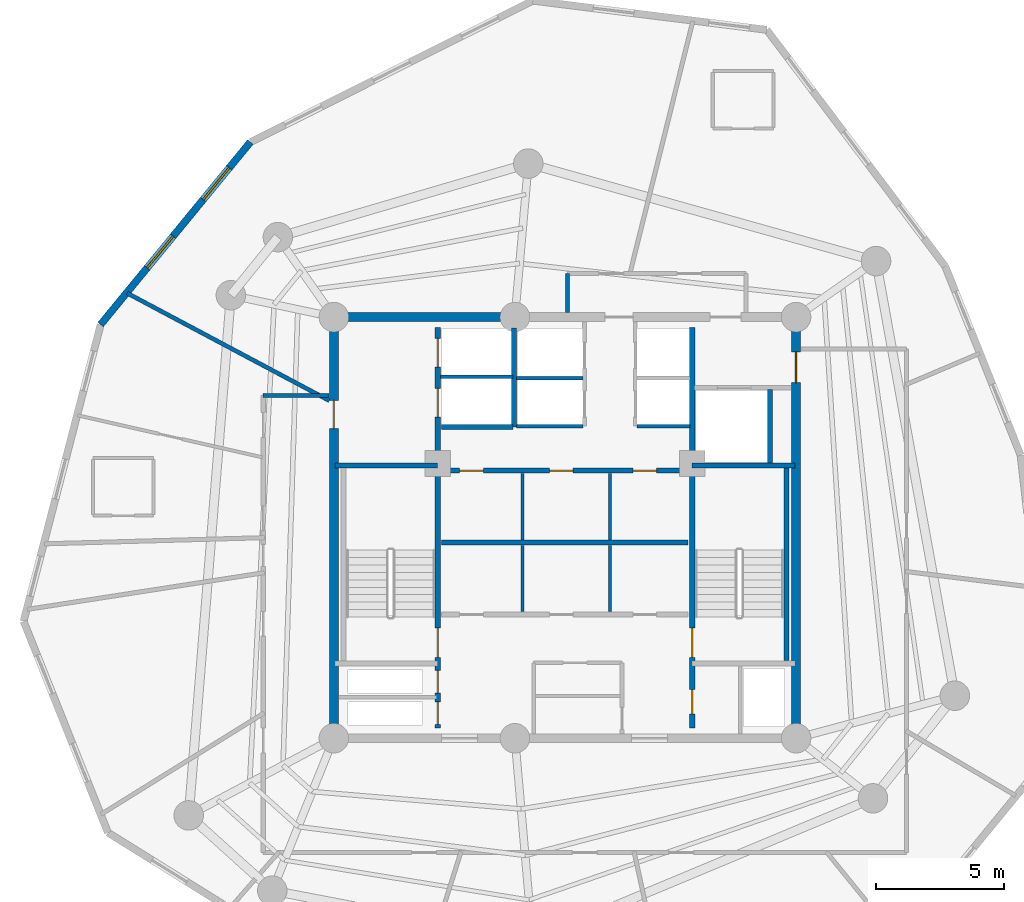
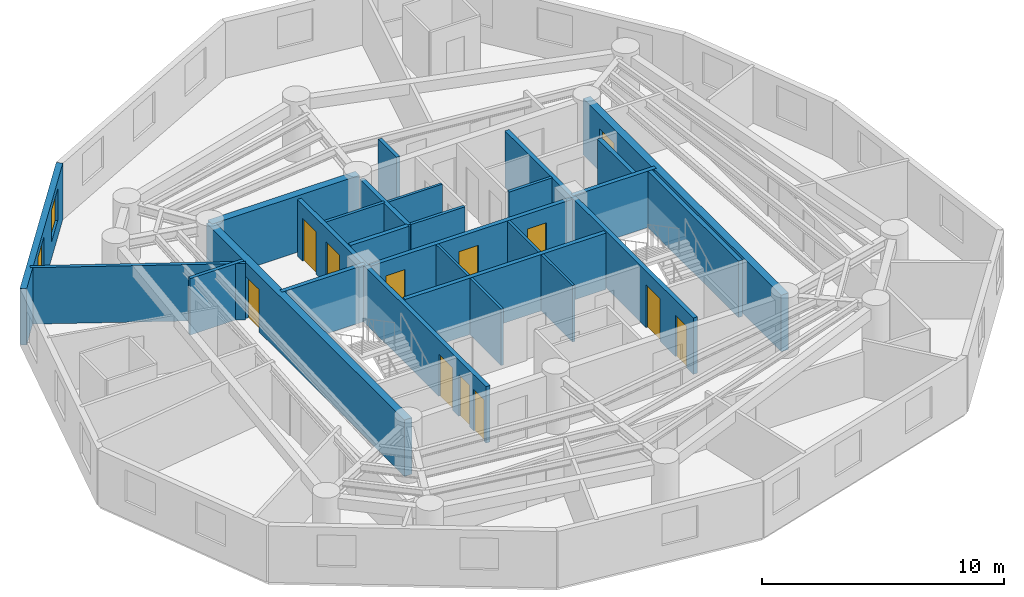
# One storey, part 4 of 7: 25 walls, 12 doors, 2 windows, 14 openings.
"""IFC4 building model written with IfcOpenShell, lengths in metres."""

import ifcopenshell
import ifcopenshell.guid

model = None  # the IFC model being written
_history = None  # IfcOwnerHistory: only IFC2X3 demands one
_inside = {}  # id of a spatial element -> (the spatial element, [elements in it])
_under = {}  # id of a project, library or spatial element -> (it, [spatial elements below it])
_declared = {}  # id of a project -> (the project, [libraries it declares])
_typed = {}  # id of a type object -> (the type object, [elements of that type])
_made_of = {}  # id of a material, layer set ... -> (it, [elements and type objects made of it])


def new_model(schema):
    """Start an empty IFC model of exactly this schema.

    Asked for "IFC4X3", IfcOpenShell would pick the latest addendum, in which some entities
    have other attributes; the version numbers below select the first issue.
    IFC2X3 requires an IfcOwnerHistory on every rooted entity: one is made here for all.
    """
    global model, _history
    if schema == "IFC4X3":
        model = ifcopenshell.file(schema_version=(4, 3, 0, 0))
    else:
        model = ifcopenshell.file(schema=schema)
    _inside.clear()
    _under.clear()
    _declared.clear()
    _typed.clear()
    _made_of.clear()
    _history = None
    if model.schema == "IFC2X3":
        org = make("IfcOrganization", Name="unknown")
        user = make(
            "IfcPersonAndOrganization",
            ThePerson=make("IfcPerson", FamilyName="unknown"),
            TheOrganization=org,
        )
        app = make(
            "IfcApplication",
            ApplicationDeveloper=org,
            Version="unknown",
            ApplicationFullName="unknown",
            ApplicationIdentifier="unknown",
        )
        _history = make(
            "IfcOwnerHistory",
            OwningUser=user,
            OwningApplication=app,
            ChangeAction="ADDED",
            CreationDate=0,
        )
    return model


def make(cls, **values):
    """One entity of the class cls with the attributes given. An attribute that is None is left unset."""
    return model.create_entity(
        cls, **{name: value for name, value in values.items() if value is not None}
    )


def rooted(cls, **values):
    """An entity with a GlobalId (a new one), such as an element, a storey or a relation."""
    return make(cls, GlobalId=ifcopenshell.guid.new(), OwnerHistory=_history, **values)


def si_unit(unit_type, name, prefix=None):
    """IfcSIUnit, for example si_unit("LENGTHUNIT", "METRE", prefix="MILLI")."""
    return make("IfcSIUnit", UnitType=unit_type, Prefix=prefix, Name=name)


def assignment(units):
    """IfcUnitAssignment: the units of a project."""
    return None if units is None else make("IfcUnitAssignment", Units=units)


def point(xyz):
    """IfcCartesianPoint."""
    return None if xyz is None else make("IfcCartesianPoint", Coordinates=xyz)


def direction(xyz):
    """IfcDirection."""
    return None if xyz is None else make("IfcDirection", DirectionRatios=xyz)


def frame(location, z_axis=None, x_axis=None):
    """IfcAxis2Placement3D, a coordinate frame: its origin and axes. An axis left out is left unset."""
    return make(
        "IfcAxis2Placement3D",
        Location=point(location),
        Axis=direction(z_axis),
        RefDirection=direction(x_axis),
    )


def frame_2d(location, x_axis=None):
    """IfcAxis2Placement2D, a coordinate frame in the plane: its origin and x axis."""
    return make(
        "IfcAxis2Placement2D", Location=point(location), RefDirection=direction(x_axis)
    )


def origin():
    """The frame at (0, 0, 0) with its axes left unset."""
    return frame((0.0, 0.0, 0.0))


def origin_with_axes():
    """The frame at (0, 0, 0) with the z axis (0, 0, 1) and the x axis (1, 0, 0) written out."""
    return frame((0.0, 0.0, 0.0), z_axis=(0.0, 0.0, 1.0), x_axis=(1.0, 0.0, 0.0))


def place(relative_to, where):
    """IfcLocalPlacement: puts the frame where relative to a parent placement (None: the world)."""
    return make(
        "IfcLocalPlacement", PlacementRelTo=relative_to, RelativePlacement=where
    )


def context(
    kind, dimensions, precision=None, world=None, true_north=None, identifier=None
):
    """IfcGeometricRepresentationContext, for example the 3D "Model" context."""
    return make(
        "IfcGeometricRepresentationContext",
        ContextIdentifier=identifier,
        ContextType=kind,
        CoordinateSpaceDimension=dimensions,
        Precision=precision,
        WorldCoordinateSystem=world,
        TrueNorth=true_north,
    )


def subcontext(parent, identifier, kind, view, scale=None):
    """IfcGeometricRepresentationSubContext, for example "Body" below "Model"."""
    return make(
        "IfcGeometricRepresentationSubContext",
        ContextIdentifier=identifier,
        ContextType=kind,
        ParentContext=parent,
        TargetScale=scale,
        TargetView=view,
    )


def project(units=None, contexts=None):
    """IfcProject with its units and contexts."""
    return rooted(
        "IfcProject",
        Name="project",
        RepresentationContexts=contexts,
        UnitsInContext=assignment(units),
    )


def spatial(cls, under=None, at=None, **own):
    """A site, building, storey or space (cls), placed at a placement, below another one or the project."""
    s = rooted(cls, ObjectPlacement=at, **own)
    if under is not None:
        _under.setdefault(under.id(), (under, []))[1].append(s)
    return s


def profile(cls, at=None, kind="AREA", **sizes):
    """A parametric profile (cls). Its sizes go by their IFC names, for example OverallWidth=200.0."""
    return make(cls, ProfileType=kind, Position=at, **sizes)


def rectangle(**sizes):
    """IfcRectangleProfileDef."""
    return profile("IfcRectangleProfileDef", **sizes)


def extrude(swept, where, along, depth):
    """IfcExtrudedAreaSolid: the profile swept, set in the frame where, extruded along a direction by depth."""
    return make(
        "IfcExtrudedAreaSolid",
        SweptArea=swept,
        Position=where,
        ExtrudedDirection=direction(along),
        Depth=depth,
    )


def shape(context_of_items, identifier, shape_type, items):
    """IfcShapeRepresentation: the items that make up one representation, for example the "Body"."""
    return make(
        "IfcShapeRepresentation",
        ContextOfItems=context_of_items,
        RepresentationIdentifier=identifier,
        RepresentationType=shape_type,
        Items=items,
    )


def source(mapping_origin, context_of_items, identifier, shape_type, items):
    """IfcRepresentationMap: a shape defined once, which mapped items show again and again."""
    return make(
        "IfcRepresentationMap",
        MappingOrigin=mapping_origin,
        MappedRepresentation=shape(context_of_items, identifier, shape_type, items),
    )


def transform(
    local_origin,
    x_axis=None,
    y_axis=None,
    z_axis=None,
    scale=None,
    scale2=None,
    scale3=None,
    uniform=True,
):
    """IfcCartesianTransformationOperator3D, or its non-uniform kind. x_axis, y_axis, z_axis: its Axis1, 2, 3."""
    if uniform:
        return make(
            "IfcCartesianTransformationOperator3D",
            Axis1=direction(x_axis),
            Axis2=direction(y_axis),
            LocalOrigin=point(local_origin),
            Scale=scale,
            Axis3=direction(z_axis),
        )
    return make(
        "IfcCartesianTransformationOperator3DnonUniform",
        Axis1=direction(x_axis),
        Axis2=direction(y_axis),
        LocalOrigin=point(local_origin),
        Scale=scale,
        Axis3=direction(z_axis),
        Scale2=scale2,
        Scale3=scale3,
    )


def mapped(mapping_source, mapping_target):
    """IfcMappedItem: shows the shape of a source again, moved by a transform."""
    return make(
        "IfcMappedItem", MappingSource=mapping_source, MappingTarget=mapping_target
    )


def material(Name=None, Category=None):
    """IfcMaterial."""
    return make("IfcMaterial", Name=Name, Category=Category)


def layer(
    of_material, thickness, ventilated=None, Name=None, Category=None, Priority=None
):
    """IfcMaterialLayer: one layer of a wall or slab, of a material (None: an air gap)."""
    return make(
        "IfcMaterialLayer",
        Material=of_material,
        LayerThickness=thickness,
        IsVentilated=ventilated,
        Name=Name,
        Category=Category,
        Priority=Priority,
    )


def layer_set(layers, Name=None):
    """IfcMaterialLayerSet."""
    return make("IfcMaterialLayerSet", MaterialLayers=layers, LayerSetName=Name)


def made_of(thing, what):
    """Note that an element or type object is made of a material, layer set ...; save() writes the relation."""
    if what is not None:
        _made_of.setdefault(what.id(), (what, []))[1].append(thing)
    return thing


def type_object(cls, material=None, **own):
    """A type object (cls), such as IfcWallType, which elements share."""
    return made_of(rooted(cls, **own), material)


def element(
    cls,
    number,
    at=None,
    inside=None,
    cuts=None,
    type_object=None,
    material=None,
    context=None,
    identifier="Body",
    shape_type=None,
    held_by="IfcProductDefinitionShape",
    body=None,
    shapes=None,
    **own,
):
    """One element of the class cls, such as IfcWall. Its Tag is "e" and its number.

    at: its placement. inside: the storey or other place that contains it. cuts: it is an
    opening in that element (IfcRelVoidsElement). A single representation is given by context,
    identifier, shape_type and body (its items); several are given by shapes. held_by: the class
    of the entity that holds the representations. save() writes the other relations.
    """
    e = rooted(cls, Tag="e%d" % number, ObjectPlacement=at, **own)
    if body is not None:
        shapes = [shape(context, identifier, shape_type, body)]
    if shapes is not None:
        e.Representation = make(held_by, Representations=shapes)
    if inside is not None:
        _inside.setdefault(inside.id(), (inside, []))[1].append(e)
    if cuts is not None:
        rooted(
            "IfcRelVoidsElement", RelatingBuildingElement=cuts, RelatedOpeningElement=e
        )
    if type_object is not None:
        _typed.setdefault(type_object.id(), (type_object, []))[1].append(e)
    return made_of(e, material)


def fill(opening, filler):
    """IfcRelFillsElement: the door or window that sits in an opening."""
    return rooted(
        "IfcRelFillsElement",
        RelatingOpeningElement=opening,
        RelatedBuildingElement=filler,
    )


def aggregate(whole, parts):
    """IfcRelAggregates: a whole, such as a stair, and the parts it consists of."""
    return rooted("IfcRelAggregates", RelatingObject=whole, RelatedObjects=parts)


def save(model, path):
    """Write the relations noted so far, then the file.

    IfcRelAggregates (storeys below a building ...), IfcRelContainedInSpatialStructure (elements
    in a storey), IfcRelDefinesByType, IfcRelAssociatesMaterial and IfcRelDeclares: one each for
    every whole, place, type object, material and project.
    """
    for whole, parts in _under.values():
        aggregate(whole, parts)
    for where, things in _inside.values():
        rooted(
            "IfcRelContainedInSpatialStructure",
            RelatedElements=things,
            RelatingStructure=where,
        )
    for kind, things in _typed.values():
        rooted("IfcRelDefinesByType", RelatedObjects=things, RelatingType=kind)
    for what, things in _made_of.values():
        rooted("IfcRelAssociatesMaterial", RelatedObjects=things, RelatingMaterial=what)
    for by, libraries in _declared.values():
        rooted("IfcRelDeclares", RelatingContext=by, RelatedDefinitions=libraries)
    model.write(path)


model = new_model("IFC4")

# Units and contexts
model_context = context("Model", 3, precision=1e-05, world=origin(), true_north=direction((0.0, 1.0)))
body_context = subcontext(model_context, "Body", "Model", "MODEL_VIEW")
ifc_project = project(units=[si_unit("LENGTHUNIT", "METRE"), si_unit("AREAUNIT", "SQUARE_METRE"), si_unit("VOLUMEUNIT", "CUBIC_METRE"), si_unit("PLANEANGLEUNIT", "RADIAN"), si_unit("MASSUNIT", "GRAM", prefix="KILO")], contexts=[model_context])

# Site, building, storey
site_placement = place(None, origin())
site = spatial("IfcSite", under=ifc_project, at=site_placement, CompositionType="ELEMENT")
building_placement = place(site_placement, origin())
building = spatial("IfcBuilding", under=site, at=building_placement, Name="Karkom Vertical University and Central Library", CompositionType="ELEMENT")
storey_placement = place(building_placement, frame((0.0, 0.0, 241.300048828125)))
storey = spatial("IfcBuildingStorey", under=building, at=storey_placement, Name="L71", CompositionType="ELEMENT", Elevation=241.300048828125)

# Wall, openings, windows
ifc_material_1 = material(Name="Brick-faced precast concrete C45/55", Category="masonry")
ifc_layer_1 = layer(ifc_material_1, 0.280029296875)
ifc_layer_set_1 = layer_set([ifc_layer_1], Name="Brick-faced precast concrete C45/55")
wall_type_1 = type_object("IfcWallType", Name="ENV-WL-BRK-280", PredefinedType="SOLIDWALL", material=ifc_layer_set_1)
wall_1_placement = place(storey_placement, frame((16.249755859375, 41.518310546875, 0.0), z_axis=(0.0, 0.0, 1.0), x_axis=(-0.634375990077, -0.773024645929, 0.0)))
wall_1 = element("IfcWall", 1, at=wall_1_placement, inside=storey, type_object=wall_type_1, Name="Level 71 Brick-Faced Precast Facade Wall 11", PredefinedType="SOLIDWALL", context=body_context, shape_type="SweptSolid", body=[
    extrude(rectangle(XDim=9.19873046875, YDim=0.280029296875, at=frame_2d((4.599365234375, 0.0))), origin(), (0.0, 0.0, 1.0), 2.849853515625),
])
opening_1_placement = place(wall_1_placement, frame((1.301513671875, 0.0, 0.85009765625)))
opening_1 = element("IfcOpeningElement", 2, at=opening_1_placement, cuts=wall_1, Name="Opening WN-10", PredefinedType="OPENING", context=body_context, shape_type="SweptSolid", body=[
    extrude(rectangle(XDim=1.60009765625, YDim=1.60009765625, at=frame_2d((0.800048828125, 0.800048828125))), frame((0.0, 0.14990234375, 0.0), z_axis=(0.0, -1.0, 0.0), x_axis=(1.0, 0.0, 0.0)), (0.0, 0.0, 1.0), 0.300048828125),
])
opening_2_placement = place(wall_1_placement, frame((4.74462890625, 0.0, 0.85009765625)))
opening_2 = element("IfcOpeningElement", 3, at=opening_2_placement, cuts=wall_1, Name="Opening WN-10", PredefinedType="OPENING", context=body_context, shape_type="SweptSolid", body=[
    extrude(rectangle(XDim=1.60009765625, YDim=1.60009765625, at=frame_2d((0.800048828125, 0.800048828125))), frame((0.0, 0.14990234375, 0.0), z_axis=(0.0, -1.0, 0.0), x_axis=(1.0, 0.0, 0.0)), (0.0, 0.0, 1.0), 0.300048828125),
])
ifc_material_2 = material(Name="Aluminium thermal-break frame with solar-control IGU", Category="aluminium")
window_type = type_object("IfcWindowType", Name="ENV-WIN-WN-10", PartitioningType="SINGLE_PANEL", PredefinedType="WINDOW", material=ifc_material_2)
shared_shape_1 = source(origin_with_axes(), body_context, "Body", "SweptSolid", [
    extrude(rectangle(XDim=1.60009765625, YDim=1.60009765625, at=frame_2d((0.800048828125, 0.800048828125))), frame((0.0, 0.030029296875, 0.0), z_axis=(0.0, -1.0, 0.0), x_axis=(1.0, 0.0, 0.0)), (0.0, 0.0, 1.0), 0.06005859375),
])
window_1_placement = place(opening_1_placement, origin())
window_1 = element("IfcWindow", 4, at=window_1_placement, inside=storey, type_object=window_type, Name="Level 71 Punched Window 11.1", OverallHeight=1.60009765625, OverallWidth=1.60009765625, PartitioningType="SINGLE_PANEL", PredefinedType="WINDOW", context=body_context, shape_type="MappedRepresentation", body=[
    mapped(shared_shape_1, transform((0.0, 0.0, 0.0), scale=1.0)),
])
fill(opening_1, window_1)
window_2_placement = place(opening_2_placement, origin())
window_2 = element("IfcWindow", 5, at=window_2_placement, inside=storey, type_object=window_type, Name="Level 71 Punched Window 11.2", OverallHeight=1.60009765625, OverallWidth=1.60009765625, PartitioningType="SINGLE_PANEL", PredefinedType="WINDOW", context=body_context, shape_type="MappedRepresentation", body=[
    mapped(shared_shape_1, transform((0.0, 0.0, 0.0), scale=1.0)),
])
fill(opening_2, window_2)

# Walls
ifc_material_3 = material(Name="Insulated metal-stud drywall 160mm", Category="gypsum")
ifc_layer_2 = layer(ifc_material_3, 0.159912109375)
ifc_layer_set_2 = layer_set([ifc_layer_2], Name="Insulated metal-stud drywall 160mm")
wall_type_2 = type_object("IfcWallType", Name="INT-WL-COR-160", PredefinedType="PARTITIONING", material=ifc_layer_set_2)
wall_2_placement = place(storey_placement, frame((19.318603515625, 31.44970703125, 0.0), z_axis=(0.0, 0.0, 1.0), x_axis=(-0.882940777031, 0.46948438127, 0.0)))
element("IfcWall", 6, at=wall_2_placement, inside=storey, type_object=wall_type_2, Name="Level 71 Interior Partition Wall L71-PW-014", PredefinedType="PARTITIONING", context=body_context, shape_type="SweptSolid", body=[
    extrude(rectangle(XDim=8.9111328125, YDim=0.159912109375, at=frame_2d((4.45556640625, 0.0))), origin(), (0.0, 0.0, 1.0), 2.849853515625),
])
wall_3_placement = place(storey_placement, frame((16.75, 31.64990234375, 0.0), z_axis=(0.0, 0.0, 1.0), x_axis=(1.0, 0.0, 0.0)))
element("IfcWall", 7, at=wall_3_placement, inside=storey, type_object=wall_type_2, Name="Level 71 Interior Partition Wall L71-CORW-CW-003", PredefinedType="PARTITIONING", context=body_context, shape_type="SweptSolid", body=[
    extrude(rectangle(XDim=2.568115234375, YDim=0.159912109375, at=frame_2d((1.2841796875, 0.0))), origin(), (0.0, 0.0, 1.0), 2.849853515625),
])
wall_4_placement = place(storey_placement, frame((28.60009765625, 34.882080078125, 0.0), z_axis=(0.0, 0.0, 1.0), x_axis=(0.0, 1.0, 0.0)))
element("IfcWall", 8, at=wall_4_placement, inside=storey, type_object=wall_type_2, Name="Level 71 Interior Partition Wall L71-CORW-CW-006", PredefinedType="PARTITIONING", context=body_context, shape_type="SweptSolid", body=[
    extrude(rectangle(XDim=1.517822265625, YDim=0.159912109375, at=frame_2d((0.7587890625, 0.0))), origin(), (0.0, 0.0, 1.0), 2.849853515625),
])
ifc_material_4 = material(Name="Moisture-resistant drywall 120mm", Category="gypsum")
ifc_layer_3 = layer(ifc_material_4, 0.1201171875)
ifc_layer_set_3 = layer_set([ifc_layer_3], Name="Moisture-resistant drywall 120mm")
wall_type_3 = type_object("IfcWallType", Name="INT-WL-INT-120", PredefinedType="PARTITIONING", material=ifc_layer_set_3)
for number, where, z_axis, x_axis, name in (
    (9, (26.85009765625, 23.22705078125, 0.0), (0.0, 0.0, 1.0), (0.0, 1.0, 0.0), "Level 71 Interior Partition Wall L71-CW-B1-K4A"),
    (10, (30.25, 23.22705078125, 0.0), (0.0, 0.0, 1.0), (0.0, 1.0, 0.0), "Level 71 Interior Partition Wall L71-CW-B1-K4B"),
    (11, (26.85009765625, 26.027099609375, 0.0), (0.0, 0.0, 1.0), (0.0, 1.0, 0.0), "Level 71 Interior Partition Wall L71-CW-B2-K4A"),
    (12, (30.25, 26.027099609375, 0.0), (0.0, 0.0, 1.0), (0.0, 1.0, 0.0), "Level 71 Interior Partition Wall L71-CW-B2-K4B"),
):
    element("IfcWall", number, at=place(storey_placement, frame(where, z_axis=z_axis, x_axis=x_axis)), inside=storey, type_object=wall_type_3, Name=name, PredefinedType="PARTITIONING", context=body_context, shape_type="SweptSolid", body=[
        extrude(rectangle(XDim=2.586669921875, YDim=0.1201171875, at=frame_2d((1.29345703125, 0.0))), origin(), (0.0, 0.0, 1.0), 2.849853515625),
    ])
ifc_layer_4 = layer(ifc_material_4, 0.1201171875)
ifc_layer_set_4 = layer_set([ifc_layer_4], Name="Moisture-resistant drywall 120mm")
wall_type_4 = type_object("IfcWallType", Name="INT-WL-INT-120H", PredefinedType="PARTITIONING", material=ifc_layer_set_4)
wall_5_placement = place(storey_placement, frame((26.6201171875, 32.320068359375, 0.0), z_axis=(0.0, 0.0, 1.0), x_axis=(1.0, 0.0, 0.0)))
element("IfcWall", 13, at=wall_5_placement, inside=storey, type_object=wall_type_4, Name="Level 71 Interior Partition Wall L71-CW-PH-MW", PredefinedType="PARTITIONING", context=body_context, shape_type="SweptSolid", body=[
    extrude(rectangle(XDim=2.579833984375, YDim=0.1201171875, at=frame_2d((1.2900390625, 0.0))), origin(), (0.0, 0.0, 1.0), 2.849853515625),
])
ifc_material_5 = material(Name="Metal-stud gypsum partition 140mm", Category="gypsum")
ifc_layer_5 = layer(ifc_material_5, 0.139892578125)
ifc_layer_set_5 = layer_set([ifc_layer_5], Name="Metal-stud gypsum partition 140mm")
wall_type_5 = type_object("IfcWallType", Name="INT-WL-SUB-140H", PredefinedType="PARTITIONING", material=ifc_layer_set_5)
wall_6_placement = place(storey_placement, frame((26.6201171875, 30.449951171875, 0.0), z_axis=(0.0, 0.0, 1.0), x_axis=(1.0, 0.0, 0.0)))
element("IfcWall", 14, at=wall_6_placement, inside=storey, type_object=wall_type_5, Name="Level 71 Interior Partition Wall L71-CW-PH-S1", PredefinedType="PARTITIONING", context=body_context, shape_type="SweptSolid", body=[
    extrude(rectangle(XDim=2.579833984375, YDim=0.139892578125, at=frame_2d((1.2900390625, 0.0))), origin(), (0.0, 0.0, 1.0), 2.849853515625),
])
wall_7_placement = place(storey_placement, frame((31.300048828125, 30.449951171875, 0.0), z_axis=(0.0, 0.0, 1.0), x_axis=(1.0, 0.0, 0.0)))
element("IfcWall", 15, at=wall_7_placement, inside=storey, type_object=wall_type_5, Name="Level 71 Interior Partition Wall L71-CW-PH-S2", PredefinedType="PARTITIONING", context=body_context, shape_type="SweptSolid", body=[
    extrude(rectangle(XDim=2.074951171875, YDim=0.139892578125, at=frame_2d((1.03759765625, 0.0))), origin(), (0.0, 0.0, 1.0), 2.849853515625),
])
ifc_layer_6 = layer(ifc_material_5, 0.139892578125)
ifc_layer_set_6 = layer_set([ifc_layer_6], Name="Metal-stud gypsum partition 140mm")
wall_type_6 = type_object("IfcWallType", Name="INT-WL-SUB-140X", PredefinedType="PARTITIONING", material=ifc_layer_set_6)
wall_8_placement = place(storey_placement, frame((23.652099609375, 32.3701171875, 0.0), z_axis=(0.0, 0.0, 1.0), x_axis=(1.0, 0.0, 0.0)))
element("IfcWall", 16, at=wall_8_placement, inside=storey, type_object=wall_type_6, Name="Level 71 Interior Partition Wall L71-CW-FFL-M", PredefinedType="PARTITIONING", context=body_context, shape_type="SweptSolid", body=[
    extrude(rectangle(XDim=2.827880859375, YDim=0.139892578125, at=frame_2d((1.4140625, 0.0))), origin(), (0.0, 0.0, 1.0), 2.849853515625),
])

# Wall, opening, door
ifc_material_6 = material(Name="Concrete C45/55", Category="concrete")
ifc_layer_7 = layer(ifc_material_6, 0.35009765625)
ifc_layer_set_7 = layer_set([ifc_layer_7], Name="Concrete C45/55")
wall_type_7 = type_object("IfcWallType", Name="STR-WL-CW-350", PredefinedType="SHEAR", material=ifc_layer_set_7)
wall_9_placement = place(storey_placement, frame((37.5, 18.300048828125, 0.0), z_axis=(0.0, 0.0, 1.0), x_axis=(0.0, 1.0, 0.0)))
wall_9 = element("IfcWall", 17, at=wall_9_placement, inside=storey, type_object=wall_type_7, Name="Level 71 Central Core Shear Wall EW", PredefinedType="SHEAR", context=body_context, shape_type="SweptSolid", body=[
    extrude(rectangle(XDim=16.39990234375, YDim=0.35009765625, at=frame_2d((8.199951171875, 0.0))), origin(), (0.0, 0.0, 1.0), 2.849853515625),
])
opening_3_placement = place(wall_9_placement, frame((13.85009765625, 0.0, 0.0)))
opening_3 = element("IfcOpeningElement", 18, at=opening_3_placement, cuts=wall_9, Name="Opening FD-SUB1", PredefinedType="OPENING", context=body_context, shape_type="SweptSolid", body=[
    extrude(rectangle(XDim=1.199951171875, YDim=2.14990234375, at=frame_2d((0.60009765625, 1.074951171875))), frame((0.0, 0.18505859375, 0.0), z_axis=(0.0, -1.0, 0.0), x_axis=(1.0, 0.0, 0.0)), (0.0, 0.0, 1.0), 0.3701171875),
])
ifc_material_7 = material(Name="Painted steel fire door", Category="steel")
door_type_1 = type_object("IfcDoorType", Name="INT-DR-SUB1", OperationType="NOTDEFINED", PredefinedType="DOOR", material=ifc_material_7)
shared_shape_2 = source(origin_with_axes(), body_context, "Body", "SweptSolid", [
    extrude(rectangle(XDim=1.199951171875, YDim=2.14990234375, at=frame_2d((0.60009765625, 1.074951171875))), frame((0.0, 0.02490234375, 0.0), z_axis=(0.0, -1.0, 0.0), x_axis=(1.0, 0.0, 0.0)), (0.0, 0.0, 1.0), 0.050048828125),
])
door_1_placement = place(opening_3_placement, origin())
door_1 = element("IfcDoor", 19, at=door_1_placement, inside=storey, type_object=door_type_1, Name="Level 71 East Corridor Service Lobby Door", OperationType="SINGLE_SWING_LEFT", OverallHeight=2.14990234375, OverallWidth=1.199951171875, PredefinedType="DOOR", context=body_context, shape_type="MappedRepresentation", body=[
    mapped(shared_shape_2, transform((0.0, 0.0, 0.0), scale=1.0)),
])
fill(opening_3, door_1)

# Wall
wall_10_placement = place(storey_placement, frame((26.550048828125, 34.699951171875, 0.0), z_axis=(0.0, 0.0, 1.0), x_axis=(-1.0, 0.0, 0.0)))
element("IfcWall", 20, at=wall_10_placement, inside=storey, type_object=wall_type_7, Name="Level 71 Central Core Shear Wall NW2", PredefinedType="SHEAR", context=body_context, shape_type="SweptSolid", body=[
    extrude(rectangle(XDim=7.050048828125, YDim=0.35009765625, at=frame_2d((3.52490234375, 0.0))), origin(), (0.0, 0.0, 1.0), 2.849853515625),
])

# Wall, opening, door
wall_11_placement = place(storey_placement, frame((19.5, 34.699951171875, 0.0), z_axis=(0.0, 0.0, 1.0), x_axis=(0.0, -1.0, 0.0)))
wall_11 = element("IfcWall", 21, at=wall_11_placement, inside=storey, type_object=wall_type_7, Name="Level 71 Central Core Shear Wall WW", PredefinedType="SHEAR", context=body_context, shape_type="SweptSolid", body=[
    extrude(rectangle(XDim=16.39990234375, YDim=0.35009765625, at=frame_2d((8.199951171875, 0.0))), origin(), (0.0, 0.0, 1.0), 2.849853515625),
])
opening_4_placement = place(wall_11_placement, frame((3.239990234375, 0.0, 0.0)))
opening_4 = element("IfcOpeningElement", 22, at=opening_4_placement, cuts=wall_11, Name="Opening FD-FFL", PredefinedType="OPENING", context=body_context, shape_type="SweptSolid", body=[
    extrude(rectangle(XDim=1.10009765625, YDim=2.14990234375, at=frame_2d((0.550048828125, 1.074951171875))), frame((0.0, 0.18505859375, 0.0), z_axis=(0.0, -1.0, 0.0), x_axis=(1.0, 0.0, 0.0)), (0.0, 0.0, 1.0), 0.3701171875),
])
ifc_material_8 = material(Name="Painted steel smoke-seal fire door", Category="steel")
door_type_2 = type_object("IfcDoorType", Name="INT-DR-FFL", OperationType="NOTDEFINED", PredefinedType="DOOR", material=ifc_material_8)
shared_shape_3 = source(origin_with_axes(), body_context, "Body", "SweptSolid", [
    extrude(rectangle(XDim=1.10009765625, YDim=2.14990234375, at=frame_2d((0.550048828125, 1.074951171875))), frame((0.0, 0.02490234375, 0.0), z_axis=(0.0, -1.0, 0.0), x_axis=(1.0, 0.0, 0.0)), (0.0, 0.0, 1.0), 0.050048828125),
])
door_2_placement = place(opening_4_placement, origin())
door_2 = element("IfcDoor", 23, at=door_2_placement, inside=storey, type_object=door_type_2, Name="Level 71 West Corridor Firefighting Lobby Door", OperationType="SINGLE_SWING_RIGHT", OverallHeight=2.14990234375, OverallWidth=1.10009765625, PredefinedType="DOOR", context=body_context, shape_type="MappedRepresentation", body=[
    mapped(shared_shape_3, transform((0.0, 0.0, 0.0), scale=1.0)),
])
fill(opening_4, door_2)

# Wall, openings, doors
ifc_layer_8 = layer(ifc_material_6, 0.199951171875)
ifc_layer_set_8 = layer_set([ifc_layer_8], Name="Concrete C45/55")
wall_type_8 = type_object("IfcWallType", Name="STR-WL-ST-200", PredefinedType="SHEAR", material=ifc_layer_set_8)
wall_12_placement = place(storey_placement, frame((23.544921875, 18.699951171875, 0.0), z_axis=(0.0, 0.0, 1.0), x_axis=(0.0, 1.0, 0.0)))
wall_12 = element("IfcWall", 24, at=wall_12_placement, inside=storey, type_object=wall_type_8, Name="Level 71 Core Shaft Wall L71-CW-ST1-E", PredefinedType="SHEAR", context=body_context, shape_type="SweptSolid", body=[
    extrude(rectangle(XDim=15.60009765625, YDim=0.199951171875, at=frame_2d((7.800048828125, 0.0))), origin(), (0.0, 0.0, 1.0), 2.849853515625),
])
opening_5_placement = place(wall_12_placement, frame((2.75, 0.0, 0.0)))
opening_5 = element("IfcOpeningElement", 25, at=opening_5_placement, cuts=wall_12, Name="Opening FD-ST1", PredefinedType="OPENING", context=body_context, shape_type="SweptSolid", body=[
    extrude(rectangle(XDim=1.14990234375, YDim=2.14990234375, at=frame_2d((0.574951171875, 1.074951171875))), frame((0.0, 0.10986328125, 0.0), z_axis=(0.0, -1.0, 0.0), x_axis=(1.0, 0.0, 0.0)), (0.0, 0.0, 1.0), 0.219970703125),
])
opening_6_placement = place(wall_12_placement, frame((0.139892578125, 0.0, 0.0)))
opening_6 = element("IfcOpeningElement", 26, at=opening_6_placement, cuts=wall_12, Name="Opening FD-RIS", PredefinedType="OPENING", context=body_context, shape_type="SweptSolid", body=[
    extrude(rectangle(XDim=0.8798828125, YDim=2.10009765625, at=frame_2d((0.43994140625, 1.050048828125))), frame((0.0, 0.10986328125, 0.0), z_axis=(0.0, -1.0, 0.0), x_axis=(1.0, 0.0, 0.0)), (0.0, 0.0, 1.0), 0.219970703125),
])
opening_7_placement = place(wall_12_placement, frame((1.360107421875, 0.0, 0.0)))
opening_7 = element("IfcOpeningElement", 27, at=opening_7_placement, cuts=wall_12, Name="Opening FD-RIS", PredefinedType="OPENING", context=body_context, shape_type="SweptSolid", body=[
    extrude(rectangle(XDim=0.8798828125, YDim=2.10009765625, at=frame_2d((0.43994140625, 1.050048828125))), frame((0.0, 0.10986328125, 0.0), z_axis=(0.0, -1.0, 0.0), x_axis=(1.0, 0.0, 0.0)), (0.0, 0.0, 1.0), 0.219970703125),
])
opening_8_placement = place(wall_12_placement, frame((12.10009765625, 0.0, 0.0)))
opening_8 = element("IfcOpeningElement", 28, at=opening_8_placement, cuts=wall_12, Name="Opening LD-FFL", PredefinedType="OPENING", context=body_context, shape_type="SweptSolid", body=[
    extrude(rectangle(XDim=1.1201171875, YDim=2.14990234375, at=frame_2d((0.56005859375, 1.074951171875))), frame((0.0, 0.10986328125, 0.0), z_axis=(0.0, -1.0, 0.0), x_axis=(1.0, 0.0, 0.0)), (0.0, 0.0, 1.0), 0.219970703125),
])
opening_9_placement = place(wall_12_placement, frame((14.050048828125, 0.0, 0.0)))
opening_9 = element("IfcOpeningElement", 29, at=opening_9_placement, cuts=wall_12, Name="Opening LD-FFL", PredefinedType="OPENING", context=body_context, shape_type="SweptSolid", body=[
    extrude(rectangle(XDim=1.1201171875, YDim=2.14990234375, at=frame_2d((0.56005859375, 1.074951171875))), frame((0.0, 0.10986328125, 0.0), z_axis=(0.0, -1.0, 0.0), x_axis=(1.0, 0.0, 0.0)), (0.0, 0.0, 1.0), 0.219970703125),
])
ifc_material_9 = material(Name="Painted steel acoustic fire door", Category="steel")
door_type_3 = type_object("IfcDoorType", Name="INT-DR-ST1", OperationType="NOTDEFINED", PredefinedType="DOOR", material=ifc_material_9)
shared_shape_4 = source(origin_with_axes(), body_context, "Body", "SweptSolid", [
    extrude(rectangle(XDim=1.14990234375, YDim=2.14990234375, at=frame_2d((0.574951171875, 1.074951171875))), frame((0.0, 0.02490234375, 0.0), z_axis=(0.0, -1.0, 0.0), x_axis=(1.0, 0.0, 0.0)), (0.0, 0.0, 1.0), 0.050048828125),
])
door_3_placement = place(opening_5_placement, origin())
door_3 = element("IfcDoor", 30, at=door_3_placement, inside=storey, type_object=door_type_3, Name="Level 71 Stair ST-1 Fire Door", OperationType="SINGLE_SWING_RIGHT", OverallHeight=2.14990234375, OverallWidth=1.14990234375, PredefinedType="DOOR", context=body_context, shape_type="MappedRepresentation", body=[
    mapped(shared_shape_4, transform((0.0, 0.0, 0.0), scale=1.0)),
])
fill(opening_5, door_3)
ifc_material_10 = material(Name="Painted steel riser access door", Category="steel")
door_type_4 = type_object("IfcDoorType", Name="INT-DR-RIS", OperationType="NOTDEFINED", PredefinedType="DOOR", material=ifc_material_10)
shared_shape_5 = source(origin_with_axes(), body_context, "Body", "SweptSolid", [
    extrude(rectangle(XDim=0.8798828125, YDim=2.10009765625, at=frame_2d((0.43994140625, 1.050048828125))), frame((0.0, 0.02490234375, 0.0), z_axis=(0.0, -1.0, 0.0), x_axis=(1.0, 0.0, 0.0)), (0.0, 0.0, 1.0), 0.050048828125),
])
door_4_placement = place(opening_6_placement, origin())
door_4 = element("IfcDoor", 31, at=door_4_placement, inside=storey, type_object=door_type_4, Name="Level 71 Electrical Riser Access Door", OperationType="SINGLE_SWING_LEFT", OverallHeight=2.10009765625, OverallWidth=0.8798828125, PredefinedType="DOOR", context=body_context, shape_type="MappedRepresentation", body=[
    mapped(shared_shape_5, transform((0.0, 0.0, 0.0), scale=1.0)),
])
fill(opening_6, door_4)
door_5_placement = place(opening_7_placement, origin())
door_5 = element("IfcDoor", 32, at=door_5_placement, inside=storey, type_object=door_type_4, Name="Level 71 Telecom Riser Access Door", OperationType="SINGLE_SWING_RIGHT", OverallHeight=2.10009765625, OverallWidth=0.8798828125, PredefinedType="DOOR", context=body_context, shape_type="MappedRepresentation", body=[
    mapped(shared_shape_5, transform((0.0, 0.0, 0.0), scale=1.0)),
])
fill(opening_7, door_5)
ifc_material_11 = material(Name="Fire-rated stainless-steel landing door", Category="steel")
door_type_5 = type_object("IfcDoorType", Name="INT-DR-LD-FFL", OperationType="SLIDING_TO_LEFT", PredefinedType="DOOR", material=ifc_material_11)
shared_shape_6 = source(origin_with_axes(), body_context, "Body", "SweptSolid", [
    extrude(rectangle(XDim=1.1201171875, YDim=2.14990234375, at=frame_2d((0.56005859375, 1.074951171875))), frame((0.0, 0.02490234375, 0.0), z_axis=(0.0, -1.0, 0.0), x_axis=(1.0, 0.0, 0.0)), (0.0, 0.0, 1.0), 0.050048828125),
])
door_6_placement = place(opening_8_placement, origin())
door_6 = element("IfcDoor", 33, at=door_6_placement, inside=storey, type_object=door_type_5, Name="Level 71 Firefighting Lift FFL-1 Landing Door", OperationType="SLIDING_TO_LEFT", OverallHeight=2.14990234375, OverallWidth=1.1201171875, PredefinedType="DOOR", context=body_context, shape_type="MappedRepresentation", body=[
    mapped(shared_shape_6, transform((0.0, 0.0, 0.0), scale=1.0)),
])
fill(opening_8, door_6)
door_7_placement = place(opening_9_placement, origin())
door_7 = element("IfcDoor", 34, at=door_7_placement, inside=storey, type_object=door_type_5, Name="Level 71 Firefighting Lift FFL-2 Landing Door", OperationType="SLIDING_TO_RIGHT", OverallHeight=2.14990234375, OverallWidth=1.1201171875, PredefinedType="DOOR", context=body_context, shape_type="MappedRepresentation", body=[
    mapped(shared_shape_6, transform((0.0, 0.0, 0.0), scale=1.0)),
])
fill(opening_9, door_7)

wall_13_placement = place(storey_placement, frame((33.455078125, 18.699951171875, 0.0), z_axis=(0.0, 0.0, 1.0), x_axis=(0.0, 1.0, 0.0)))
wall_13 = element("IfcWall", 35, at=wall_13_placement, inside=storey, type_object=wall_type_8, Name="Level 71 Core Shaft Wall L71-CW-ST2-W", PredefinedType="SHEAR", context=body_context, shape_type="SweptSolid", body=[
    extrude(rectangle(XDim=15.60009765625, YDim=0.199951171875, at=frame_2d((7.800048828125, 0.0))), origin(), (0.0, 0.0, 1.0), 2.849853515625),
])
opening_10_placement = place(wall_13_placement, frame((2.75, 0.0, 0.0)))
opening_10 = element("IfcOpeningElement", 36, at=opening_10_placement, cuts=wall_13, Name="Opening FD-ST1", PredefinedType="OPENING", context=body_context, shape_type="SweptSolid", body=[
    extrude(rectangle(XDim=1.14990234375, YDim=2.14990234375, at=frame_2d((0.574951171875, 1.074951171875))), frame((0.0, 0.10986328125, 0.0), z_axis=(0.0, -1.0, 0.0), x_axis=(1.0, 0.0, 0.0)), (0.0, 0.0, 1.0), 0.219970703125),
])
opening_11_placement = place(wall_13_placement, frame((0.550048828125, 0.0, 0.0)))
opening_11 = element("IfcOpeningElement", 37, at=opening_11_placement, cuts=wall_13, Name="Opening D-WC1", PredefinedType="OPENING", context=body_context, shape_type="SweptSolid", body=[
    extrude(rectangle(XDim=0.93994140625, YDim=2.10009765625, at=frame_2d((0.469970703125, 1.050048828125))), frame((0.0, 0.10986328125, 0.0), z_axis=(0.0, -1.0, 0.0), x_axis=(1.0, 0.0, 0.0)), (0.0, 0.0, 1.0), 0.219970703125),
])
door_8_placement = place(opening_10_placement, origin())
door_8 = element("IfcDoor", 38, at=door_8_placement, inside=storey, type_object=door_type_3, Name="Level 71 Stair ST-2 Fire Door", OperationType="SINGLE_SWING_LEFT", OverallHeight=2.14990234375, OverallWidth=1.14990234375, PredefinedType="DOOR", context=body_context, shape_type="MappedRepresentation", body=[
    mapped(shared_shape_4, transform((0.0, 0.0, 0.0), scale=1.0)),
])
fill(opening_10, door_8)
ifc_material_12 = material(Name="Fire-rated laminate moisture-resistant door", Category="wood")
door_type_6 = type_object("IfcDoorType", Name="INT-DR-WC1", OperationType="NOTDEFINED", PredefinedType="DOOR", material=ifc_material_12)
shared_shape_7 = source(origin_with_axes(), body_context, "Body", "SweptSolid", [
    extrude(rectangle(XDim=0.93994140625, YDim=2.10009765625, at=frame_2d((0.469970703125, 1.050048828125))), frame((0.0, 0.02490234375, 0.0), z_axis=(0.0, -1.0, 0.0), x_axis=(1.0, 0.0, 0.0)), (0.0, 0.0, 1.0), 0.050048828125),
])
door_9_placement = place(opening_11_placement, origin())
door_9 = element("IfcDoor", 39, at=door_9_placement, inside=storey, type_object=door_type_6, Name="Level 71 Accessible WC Door", OperationType="SINGLE_SWING_LEFT", OverallHeight=2.10009765625, OverallWidth=0.93994140625, PredefinedType="DOOR", context=body_context, shape_type="MappedRepresentation", body=[
    mapped(shared_shape_7, transform((0.0, 0.0, 0.0), scale=1.0)),
])
fill(opening_11, door_9)

# Wall
wall_14_placement = place(storey_placement, frame((23.699951171875, 25.919921875, 0.0), z_axis=(0.0, 0.0, 1.0), x_axis=(1.0, 0.0, 0.0)))
element("IfcWall", 40, at=wall_14_placement, inside=storey, type_object=wall_type_8, Name="Level 71 Core Shaft Wall L71-CW-B1-N", PredefinedType="SHEAR", context=body_context, shape_type="SweptSolid", body=[
    extrude(rectangle(XDim=9.60009765625, YDim=0.199951171875, at=frame_2d((4.800048828125, 0.0))), origin(), (0.0, 0.0, 1.0), 2.849853515625),
])

# Wall, openings, doors
wall_15_placement = place(storey_placement, frame((23.699951171875, 28.719970703125, 0.0), z_axis=(0.0, 0.0, 1.0), x_axis=(1.0, 0.0, 0.0)))
wall_15 = element("IfcWall", 41, at=wall_15_placement, inside=storey, type_object=wall_type_8, Name="Level 71 Core Shaft Wall L71-CW-B2-N", PredefinedType="SHEAR", context=body_context, shape_type="SweptSolid", body=[
    extrude(rectangle(XDim=9.60009765625, YDim=0.199951171875, at=frame_2d((4.800048828125, 0.0))), origin(), (0.0, 0.0, 1.0), 2.849853515625),
])
opening_12_placement = place(wall_15_placement, frame((0.699951171875, 0.0, 0.0)))
opening_12 = element("IfcOpeningElement", 42, at=opening_12_placement, cuts=wall_15, Name="Opening D-SVC1", PredefinedType="OPENING", context=body_context, shape_type="SweptSolid", body=[
    extrude(rectangle(XDim=0.919921875, YDim=2.10009765625, at=frame_2d((0.4599609375, 1.050048828125))), frame((0.0, 0.10986328125, 0.0), z_axis=(0.0, -1.0, 0.0), x_axis=(1.0, 0.0, 0.0)), (0.0, 0.0, 1.0), 0.219970703125),
])
opening_13_placement = place(wall_15_placement, frame((4.199951171875, 0.0, 0.0)))
opening_13 = element("IfcOpeningElement", 43, at=opening_13_placement, cuts=wall_15, Name="Opening D-SVC1", PredefinedType="OPENING", context=body_context, shape_type="SweptSolid", body=[
    extrude(rectangle(XDim=0.919921875, YDim=2.10009765625, at=frame_2d((0.4599609375, 1.050048828125))), frame((0.0, 0.10986328125, 0.0), z_axis=(0.0, -1.0, 0.0), x_axis=(1.0, 0.0, 0.0)), (0.0, 0.0, 1.0), 0.219970703125),
])
opening_14_placement = place(wall_15_placement, frame((7.449951171875, 0.0, 0.0)))
opening_14 = element("IfcOpeningElement", 44, at=opening_14_placement, cuts=wall_15, Name="Opening D-SVC1", PredefinedType="OPENING", context=body_context, shape_type="SweptSolid", body=[
    extrude(rectangle(XDim=0.919921875, YDim=2.10009765625, at=frame_2d((0.4599609375, 1.050048828125))), frame((0.0, 0.10986328125, 0.0), z_axis=(0.0, -1.0, 0.0), x_axis=(1.0, 0.0, 0.0)), (0.0, 0.0, 1.0), 0.219970703125),
])
ifc_material_13 = material(Name="Painted timber service door", Category="wood")
door_type_7 = type_object("IfcDoorType", Name="INT-DR-SVC1", OperationType="NOTDEFINED", PredefinedType="DOOR", material=ifc_material_13)
shared_shape_8 = source(origin_with_axes(), body_context, "Body", "SweptSolid", [
    extrude(rectangle(XDim=0.919921875, YDim=2.10009765625, at=frame_2d((0.4599609375, 1.050048828125))), frame((0.0, 0.02490234375, 0.0), z_axis=(0.0, -1.0, 0.0), x_axis=(1.0, 0.0, 0.0)), (0.0, 0.0, 1.0), 0.050048828125),
])
door_10_placement = place(opening_12_placement, origin())
door_10 = element("IfcDoor", 45, at=door_10_placement, inside=storey, type_object=door_type_7, Name="Level 71 B2 Store A Door", OperationType="SINGLE_SWING_LEFT", OverallHeight=2.10009765625, OverallWidth=0.919921875, PredefinedType="DOOR", context=body_context, shape_type="MappedRepresentation", body=[
    mapped(shared_shape_8, transform((0.0, 0.0, 0.0), scale=1.0)),
])
fill(opening_12, door_10)
door_11_placement = place(opening_13_placement, origin())
door_11 = element("IfcDoor", 46, at=door_11_placement, inside=storey, type_object=door_type_7, Name="Level 71 B2 Comms Door", OperationType="SINGLE_SWING_RIGHT", OverallHeight=2.10009765625, OverallWidth=0.919921875, PredefinedType="DOOR", context=body_context, shape_type="MappedRepresentation", body=[
    mapped(shared_shape_8, transform((0.0, 0.0, 0.0), scale=1.0)),
])
fill(opening_13, door_11)
door_12_placement = place(opening_14_placement, origin())
door_12 = element("IfcDoor", 47, at=door_12_placement, inside=storey, type_object=door_type_7, Name="Level 71 B2 Store C Door", OperationType="SINGLE_SWING_LEFT", OverallHeight=2.10009765625, OverallWidth=0.919921875, PredefinedType="DOOR", context=body_context, shape_type="MappedRepresentation", body=[
    mapped(shared_shape_8, transform((0.0, 0.0, 0.0), scale=1.0)),
])
fill(opening_14, door_12)

# Walls
wall_16_placement = place(storey_placement, frame((37.125, 21.320068359375, 0.0), z_axis=(0.0, 0.0, 1.0), x_axis=(0.0, 1.0, 0.0)))
element("IfcWall", 48, at=wall_16_placement, inside=storey, type_object=wall_type_8, Name="Level 71 Core Shaft Wall L71-CW-ST2-E", PredefinedType="SHEAR", context=body_context, shape_type="SweptSolid", body=[
    extrude(rectangle(XDim=7.5, YDim=0.199951171875, at=frame_2d((3.75, 0.0))), origin(), (0.0, 0.0, 1.0), 2.849853515625),
])
for number, where, z_axis, x_axis, name in (
    (49, (33.455078125, 28.925048828125, 0.0), (0.0, 0.0, 1.0), (1.0, 0.0, 0.0), "Level 71 Core Shaft Wall L71-CW-ST2-N"),
    (50, (19.550048828125, 28.925048828125, 0.0), (0.0, 0.0, 1.0), (1.0, 0.0, 0.0), "Level 71 Core Shaft Wall L71-CW-ST1-N"),
):
    element("IfcWall", number, at=place(storey_placement, frame(where, z_axis=z_axis, x_axis=x_axis)), inside=storey, type_object=wall_type_8, Name=name, PredefinedType="SHEAR", context=body_context, shape_type="SweptSolid", body=[
        extrude(rectangle(XDim=3.994873046875, YDim=0.199951171875, at=frame_2d((1.99755859375, 0.0))), origin(), (0.0, 0.0, 1.0), 2.849853515625),
    ])
wall_17_placement = place(storey_placement, frame((26.52001953125, 30.419921875, 0.0), z_axis=(0.0, 0.0, 1.0), x_axis=(0.0, 1.0, 0.0)))
element("IfcWall", 51, at=wall_17_placement, inside=storey, type_object=wall_type_8, Name="Level 71 Core Shaft Wall L71-CW-FFL-E", PredefinedType="SHEAR", context=body_context, shape_type="SweptSolid", body=[
    extrude(rectangle(XDim=3.860107421875, YDim=0.199951171875, at=frame_2d((1.93017578125, 0.0))), origin(), (0.0, 0.0, 1.0), 2.849853515625),
])
wall_18_placement = place(storey_placement, frame((36.47998046875, 29.02001953125, 0.0), z_axis=(0.0, 0.0, 1.0), x_axis=(0.0, 1.0, 0.0)))
element("IfcWall", 52, at=wall_18_placement, inside=storey, type_object=wall_type_8, Name="Level 71 Core Shaft Wall L71-CW-SVL-E", PredefinedType="SHEAR", context=body_context, shape_type="SweptSolid", body=[
    extrude(rectangle(XDim=2.85986328125, YDim=0.199951171875, at=frame_2d((1.429931640625, 0.0))), origin(), (0.0, 0.0, 1.0), 2.849853515625),
])
wall_19_placement = place(storey_placement, frame((23.699951171875, 30.419921875, 0.0), z_axis=(0.0, 0.0, 1.0), x_axis=(1.0, 0.0, 0.0)))
element("IfcWall", 53, at=wall_19_placement, inside=storey, type_object=wall_type_8, Name="Level 71 Core Shaft Wall L71-CW-FFL-S", PredefinedType="SHEAR", context=body_context, shape_type="SweptSolid", body=[
    extrude(rectangle(XDim=2.780029296875, YDim=0.199951171875, at=frame_2d((1.39013671875, 0.0))), origin(), (0.0, 0.0, 1.0), 2.849853515625),
])

save(model, "model.ifc")
